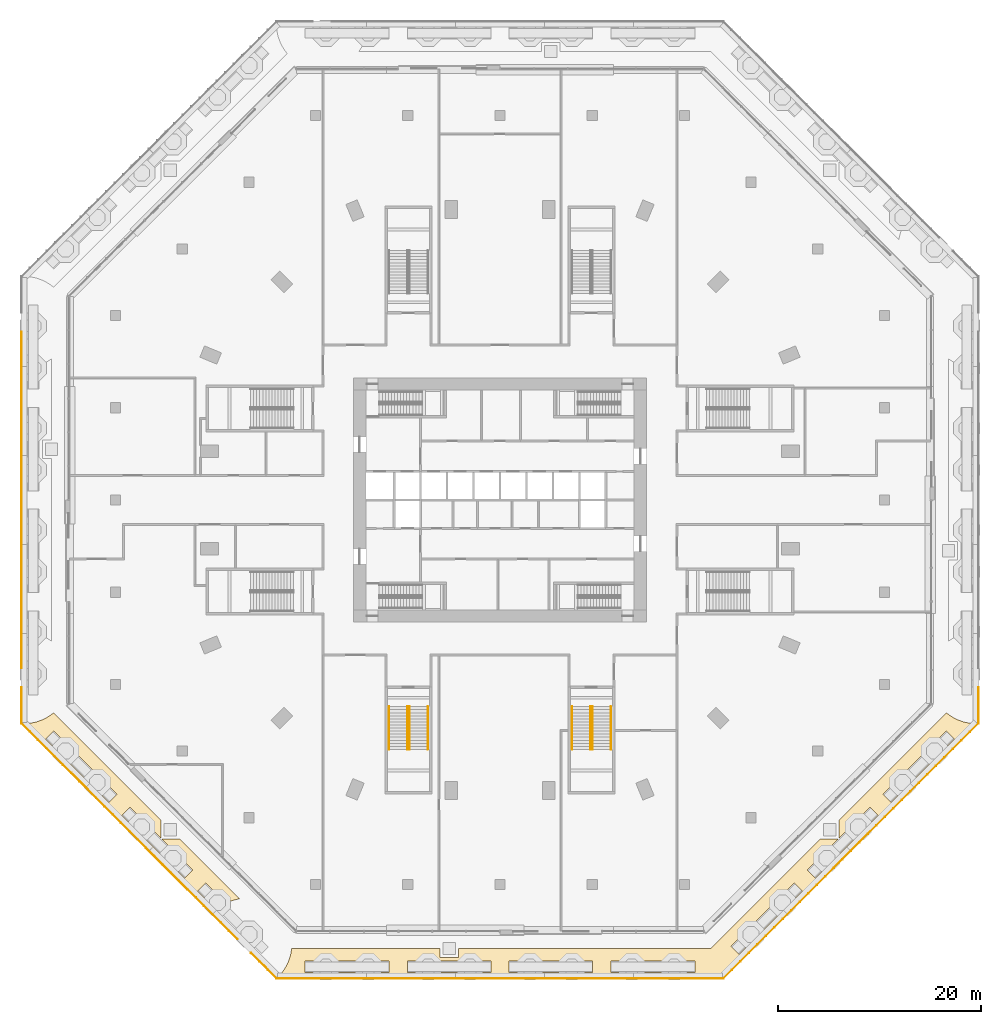
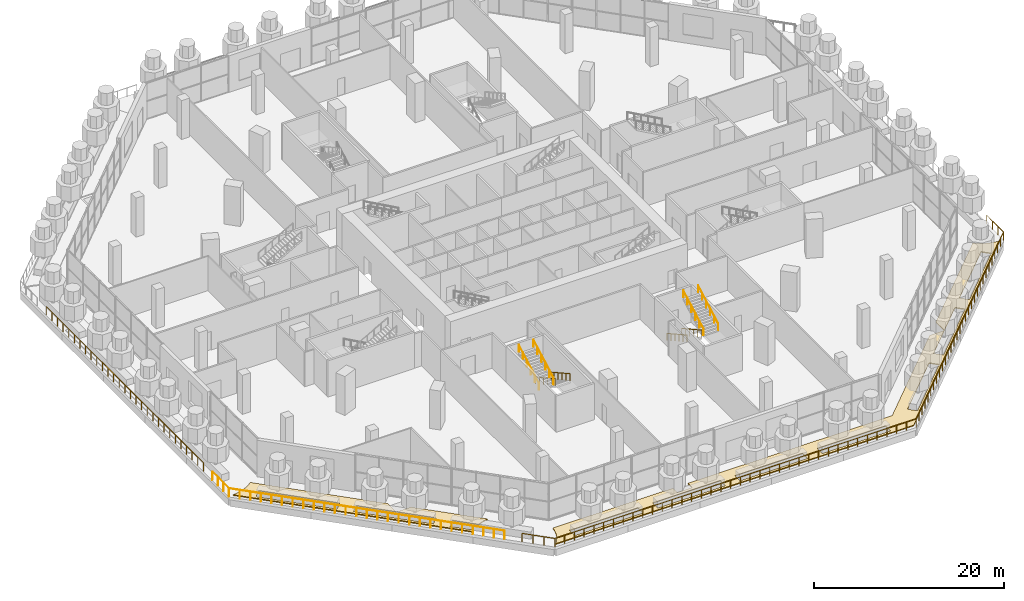
# One storey, part 29 of 32: 11 railings, 2 coverings.
"""IFC4 building model written with IfcOpenShell, lengths in metres."""

from ifc_helpers import new_model, si_unit, direction, frame, origin, origin_2d, place, context, subcontext, project, spatial, polyline, circle, outline, extrude, material, layer, layer_set, constituent, constituent_set, type_object, element, save


model = new_model("IFC4")

# Units and contexts
model_context = context("Model", 3, precision=1e-05, world=origin(), true_north=direction((0.0, 1.0)))
body_context = subcontext(model_context, "Body", "Model", "MODEL_VIEW")
ifc_project = project(units=[si_unit("LENGTHUNIT", "METRE"), si_unit("AREAUNIT", "SQUARE_METRE"), si_unit("VOLUMEUNIT", "CUBIC_METRE"), si_unit("PLANEANGLEUNIT", "RADIAN"), si_unit("MASSUNIT", "GRAM", prefix="KILO")], contexts=[model_context])

# Site, building, storey
site_placement = place(None, origin())
site = spatial("IfcSite", under=ifc_project, at=site_placement, CompositionType="ELEMENT")
building_placement = place(site_placement, origin())
building = spatial("IfcBuilding", under=site, at=building_placement, Name="Msitu Wima Residences", CompositionType="ELEMENT")
storey_placement = place(building_placement, frame((0.0, 0.0, 6.0)))
storey = spatial("IfcBuildingStorey", under=building, at=storey_placement, Name="L01", CompositionType="ELEMENT", Elevation=6.0)

# Railings
ifc_material_1 = material(Name="Steel S355", Category="steel")
ifc_constituent_1 = constituent(ifc_material_1, Name="Steel S355")
ifc_material_2 = material(Name="Black powder coating")
ifc_constituent_2 = constituent(ifc_material_2, Name="Black powder coating")
ifc_constituent_set_1 = constituent_set(constituents=[ifc_constituent_1, ifc_constituent_2], Name="Steel S355")
railing_type_1 = type_object("IfcRailingType", Name="Stair handrail HR1", PredefinedType="HANDRAIL", material=ifc_constituent_set_1)
for number, where, name in (
    (1, (7.10009765625, -20.324951171875, 0.166748046875), "Podium exit stair 7 handrail"),
    (2, (8.89990234375, -20.324951171875, 0.166748046875), "Podium exit stair 7 handrail"),
):
    element("IfcRailing", number, at=place(storey_placement, frame(where)), inside=storey, type_object=railing_type_1, Name=name, PredefinedType="HANDRAIL", context=body_context, shape_type="SweptSolid", body=[
        extrude(circle(Radius=0.02392578125, at=origin_2d()), frame((0.0, 0.0, 0.8759765625), z_axis=(0.0, -0.874162069901, 0.485634302275), x_axis=(1.0, 0.0, 0.0)), (0.0, 0.0, 1.0), 4.804443359375),
        extrude(circle(Radius=0.02099609375, at=origin_2d()), origin(), (0.0, 0.0, 1.0), 0.851806640625),
        extrude(circle(Radius=0.02099609375, at=origin_2d()), frame((0.0, -0.840087890625, 0.466552734375)), (0.0, 0.0, 1.0), 0.851806640625),
        extrude(circle(Radius=0.02099609375, at=origin_2d()), frame((0.0, -1.679931640625, 0.933349609375)), (0.0, 0.0, 1.0), 0.851806640625),
        extrude(circle(Radius=0.02099609375, at=origin_2d()), frame((0.0, -2.52001953125, 1.39990234375)), (0.0, 0.0, 1.0), 0.851806640625),
        extrude(circle(Radius=0.02099609375, at=origin_2d()), frame((0.0, -3.35986328125, 1.86669921875)), (0.0, 0.0, 1.0), 0.851806640625),
        extrude(circle(Radius=0.02099609375, at=origin_2d()), frame((0.0, -4.199951171875, 2.333251953125)), (0.0, 0.0, 1.0), 0.851806640625),
    ])
for number, where, name in (
    (3, (9.10009765625, -24.52490234375, 2.666748046875), "Podium exit stair 7 handrail"),
    (4, (10.89990234375, -24.52490234375, 2.666748046875), "Podium exit stair 7 handrail"),
):
    element("IfcRailing", number, at=place(storey_placement, frame(where)), inside=storey, type_object=railing_type_1, Name=name, PredefinedType="HANDRAIL", context=body_context, shape_type="SweptSolid", body=[
        extrude(circle(Radius=0.02392578125, at=origin_2d()), frame((0.0, 0.0, 0.8759765625), z_axis=(0.0, 0.874162069901, 0.485634302275), x_axis=(-1.0, 0.0, 0.0)), (0.0, 0.0, 1.0), 4.804443359375),
        extrude(circle(Radius=0.02099609375, at=origin_2d()), origin(), (0.0, 0.0, 1.0), 0.851806640625),
        extrude(circle(Radius=0.02099609375, at=origin_2d()), frame((0.0, 0.840087890625, 0.466552734375)), (0.0, 0.0, 1.0), 0.851806640625),
        extrude(circle(Radius=0.02099609375, at=origin_2d()), frame((0.0, 1.679931640625, 0.933349609375)), (0.0, 0.0, 1.0), 0.851806640625),
        extrude(circle(Radius=0.02099609375, at=origin_2d()), frame((0.0, 2.52001953125, 1.39990234375)), (0.0, 0.0, 1.0), 0.851806640625),
        extrude(circle(Radius=0.02099609375, at=origin_2d()), frame((0.0, 3.35986328125, 1.86669921875)), (0.0, 0.0, 1.0), 0.851806640625),
        extrude(circle(Radius=0.02099609375, at=origin_2d()), frame((0.0, 4.199951171875, 2.333251953125)), (0.0, 0.0, 1.0), 0.851806640625),
    ])
for number, where, name in (
    (5, (-7.10009765625, -20.324951171875, 0.166748046875), "Podium exit stair 8 handrail"),
    (6, (-8.89990234375, -20.324951171875, 0.166748046875), "Podium exit stair 8 handrail"),
):
    element("IfcRailing", number, at=place(storey_placement, frame(where)), inside=storey, type_object=railing_type_1, Name=name, PredefinedType="HANDRAIL", context=body_context, shape_type="SweptSolid", body=[
        extrude(circle(Radius=0.02392578125, at=origin_2d()), frame((0.0, 0.0, 0.8759765625), z_axis=(0.0, -0.874162069901, 0.485634302275), x_axis=(1.0, 0.0, 0.0)), (0.0, 0.0, 1.0), 4.804443359375),
        extrude(circle(Radius=0.02099609375, at=origin_2d()), origin(), (0.0, 0.0, 1.0), 0.851806640625),
        extrude(circle(Radius=0.02099609375, at=origin_2d()), frame((0.0, -0.840087890625, 0.466552734375)), (0.0, 0.0, 1.0), 0.851806640625),
        extrude(circle(Radius=0.02099609375, at=origin_2d()), frame((0.0, -1.679931640625, 0.933349609375)), (0.0, 0.0, 1.0), 0.851806640625),
        extrude(circle(Radius=0.02099609375, at=origin_2d()), frame((0.0, -2.52001953125, 1.39990234375)), (0.0, 0.0, 1.0), 0.851806640625),
        extrude(circle(Radius=0.02099609375, at=origin_2d()), frame((0.0, -3.35986328125, 1.86669921875)), (0.0, 0.0, 1.0), 0.851806640625),
        extrude(circle(Radius=0.02099609375, at=origin_2d()), frame((0.0, -4.199951171875, 2.333251953125)), (0.0, 0.0, 1.0), 0.851806640625),
    ])
for number, where, name in (
    (7, (-9.10009765625, -24.52490234375, 2.666748046875), "Podium exit stair 8 handrail"),
    (8, (-10.89990234375, -24.52490234375, 2.666748046875), "Podium exit stair 8 handrail"),
):
    element("IfcRailing", number, at=place(storey_placement, frame(where)), inside=storey, type_object=railing_type_1, Name=name, PredefinedType="HANDRAIL", context=body_context, shape_type="SweptSolid", body=[
        extrude(circle(Radius=0.02392578125, at=origin_2d()), frame((0.0, 0.0, 0.8759765625), z_axis=(0.0, 0.874162069901, 0.485634302275), x_axis=(-1.0, 0.0, 0.0)), (0.0, 0.0, 1.0), 4.804443359375),
        extrude(circle(Radius=0.02099609375, at=origin_2d()), origin(), (0.0, 0.0, 1.0), 0.851806640625),
        extrude(circle(Radius=0.02099609375, at=origin_2d()), frame((0.0, 0.840087890625, 0.466552734375)), (0.0, 0.0, 1.0), 0.851806640625),
        extrude(circle(Radius=0.02099609375, at=origin_2d()), frame((0.0, 1.679931640625, 0.933349609375)), (0.0, 0.0, 1.0), 0.851806640625),
        extrude(circle(Radius=0.02099609375, at=origin_2d()), frame((0.0, 2.52001953125, 1.39990234375)), (0.0, 0.0, 1.0), 0.851806640625),
        extrude(circle(Radius=0.02099609375, at=origin_2d()), frame((0.0, 3.35986328125, 1.86669921875)), (0.0, 0.0, 1.0), 0.851806640625),
        extrude(circle(Radius=0.02099609375, at=origin_2d()), frame((0.0, 4.199951171875, 2.333251953125)), (0.0, 0.0, 1.0), 0.851806640625),
    ])
ifc_constituent_3 = constituent(ifc_material_1, Name="Steel S355")
ifc_material_3 = material(Name="Weathering patina")
ifc_constituent_4 = constituent(ifc_material_3, Name="Weathering patina")
ifc_constituent_set_2 = constituent_set(constituents=[ifc_constituent_3, ifc_constituent_4], Name="Steel S355")
railing_type_2 = type_object("IfcRailingType", Name="Terrace guard GR1100", PredefinedType="GUARDRAIL", material=ifc_constituent_set_2)
railing_1_placement = place(storey_placement, frame((-25.822509765625, -43.18701171875, 0.0)))
element("IfcRailing", 9, at=railing_1_placement, inside=storey, type_object=railing_type_2, Name="Terrace guard L00 roof 1", PredefinedType="GUARDRAIL", context=body_context, shape_type="SweptSolid", body=[
    extrude(circle(Radius=0.02392578125, at=origin_2d()), frame((0.0, 0.0, 1.076171875), z_axis=(-0.707106781187, 0.707106781187, 0.0), x_axis=(-0.707106781187, -0.707106781187, 0.0)), (0.0, 0.0, 1.0), 30.020263671875),
    extrude(circle(Radius=0.02392578125, at=origin_2d()), frame((-21.2275390625, 21.2275390625, 1.076171875), z_axis=(0.0, 1.0, 0.0), x_axis=(-1.0, 0.0, 0.0)), (0.0, 0.0, 1.0), 3.52490234375),
    extrude(circle(Radius=0.02099609375, at=origin_2d()), origin(), (0.0, 0.0, 1.0), 1.052001953125),
    extrude(circle(Radius=0.02099609375, at=origin_2d()), frame((-0.81640625, 0.81640625, 0.0)), (0.0, 0.0, 1.0), 1.052001953125),
    extrude(circle(Radius=0.02099609375, at=origin_2d()), frame((-1.6328125, 1.6328125, 0.0)), (0.0, 0.0, 1.0), 1.052001953125),
    extrude(circle(Radius=0.02099609375, at=origin_2d()), frame((-2.44921875, 2.44921875, 0.0)), (0.0, 0.0, 1.0), 1.052001953125),
    extrude(circle(Radius=0.02099609375, at=origin_2d()), frame((-3.265869140625, 3.265869140625, 0.0)), (0.0, 0.0, 1.0), 1.052001953125),
    extrude(circle(Radius=0.02099609375, at=origin_2d()), frame((-4.082275390625, 4.082275390625, 0.0)), (0.0, 0.0, 1.0), 1.052001953125),
    extrude(circle(Radius=0.02099609375, at=origin_2d()), frame((-4.898681640625, 4.898681640625, 0.0)), (0.0, 0.0, 1.0), 1.052001953125),
    extrude(circle(Radius=0.02099609375, at=origin_2d()), frame((-5.715087890625, 5.715087890625, 0.0)), (0.0, 0.0, 1.0), 1.052001953125),
    extrude(circle(Radius=0.02099609375, at=origin_2d()), frame((-6.531494140625, 6.531494140625, 0.0)), (0.0, 0.0, 1.0), 1.052001953125),
    extrude(circle(Radius=0.02099609375, at=origin_2d()), frame((-7.347900390625, 7.347900390625, 0.0)), (0.0, 0.0, 1.0), 1.052001953125),
    extrude(circle(Radius=0.02099609375, at=origin_2d()), frame((-8.16455078125, 8.16455078125, 0.0)), (0.0, 0.0, 1.0), 1.052001953125),
    extrude(circle(Radius=0.02099609375, at=origin_2d()), frame((-8.98095703125, 8.98095703125, 0.0)), (0.0, 0.0, 1.0), 1.052001953125),
    extrude(circle(Radius=0.02099609375, at=origin_2d()), frame((-9.79736328125, 9.79736328125, 0.0)), (0.0, 0.0, 1.0), 1.052001953125),
    extrude(circle(Radius=0.02099609375, at=origin_2d()), frame((-10.61376953125, 10.61376953125, 0.0)), (0.0, 0.0, 1.0), 1.052001953125),
    extrude(circle(Radius=0.02099609375, at=origin_2d()), frame((-11.43017578125, 11.43017578125, 0.0)), (0.0, 0.0, 1.0), 1.052001953125),
    extrude(circle(Radius=0.02099609375, at=origin_2d()), frame((-12.24658203125, 12.24658203125, 0.0)), (0.0, 0.0, 1.0), 1.052001953125),
    extrude(circle(Radius=0.02099609375, at=origin_2d()), frame((-13.06298828125, 13.06298828125, 0.0)), (0.0, 0.0, 1.0), 1.052001953125),
    extrude(circle(Radius=0.02099609375, at=origin_2d()), frame((-13.879638671875, 13.879638671875, 0.0)), (0.0, 0.0, 1.0), 1.052001953125),
    extrude(circle(Radius=0.02099609375, at=origin_2d()), frame((-14.696044921875, 14.696044921875, 0.0)), (0.0, 0.0, 1.0), 1.052001953125),
    extrude(circle(Radius=0.02099609375, at=origin_2d()), frame((-15.512451171875, 15.512451171875, 0.0)), (0.0, 0.0, 1.0), 1.052001953125),
    extrude(circle(Radius=0.02099609375, at=origin_2d()), frame((-16.328857421875, 16.328857421875, 0.0)), (0.0, 0.0, 1.0), 1.052001953125),
    extrude(circle(Radius=0.02099609375, at=origin_2d()), frame((-17.145263671875, 17.145263671875, 0.0)), (0.0, 0.0, 1.0), 1.052001953125),
    extrude(circle(Radius=0.02099609375, at=origin_2d()), frame((-17.961669921875, 17.961669921875, 0.0)), (0.0, 0.0, 1.0), 1.052001953125),
    extrude(circle(Radius=0.02099609375, at=origin_2d()), frame((-18.7783203125, 18.7783203125, 0.0)), (0.0, 0.0, 1.0), 1.052001953125),
    extrude(circle(Radius=0.02099609375, at=origin_2d()), frame((-19.5947265625, 19.5947265625, 0.0)), (0.0, 0.0, 1.0), 1.052001953125),
    extrude(circle(Radius=0.02099609375, at=origin_2d()), frame((-20.4111328125, 20.4111328125, 0.0)), (0.0, 0.0, 1.0), 1.052001953125),
    extrude(circle(Radius=0.02099609375, at=origin_2d()), frame((-21.2275390625, 21.2275390625, 0.0)), (0.0, 0.0, 1.0), 1.052001953125),
    extrude(circle(Radius=0.02099609375, at=origin_2d()), frame((-21.2275390625, 22.402587890625, 0.0)), (0.0, 0.0, 1.0), 1.052001953125),
    extrude(circle(Radius=0.02099609375, at=origin_2d()), frame((-21.2275390625, 23.577392578125, 0.0)), (0.0, 0.0, 1.0), 1.052001953125),
    extrude(circle(Radius=0.02099609375, at=origin_2d()), frame((-21.2275390625, 24.75244140625, 0.0)), (0.0, 0.0, 1.0), 1.052001953125),
])
railing_2_placement = place(storey_placement, frame((-47.050048828125, -16.53466796875, 0.0)))
element("IfcRailing", 10, at=railing_2_placement, inside=storey, type_object=railing_type_2, Name="Terrace guard L00 roof 2", PredefinedType="GUARDRAIL", context=body_context, shape_type="SweptSolid", body=[
    extrude(circle(Radius=0.02392578125, at=origin_2d()), frame((0.0, 0.0, 1.076171875), z_axis=(0.0, 1.0, 0.0), x_axis=(-1.0, 0.0, 0.0)), (0.0, 0.0, 1.0), 33.0693359375),
    extrude(circle(Radius=0.02099609375, at=origin_2d()), origin(), (0.0, 0.0, 1.0), 1.052001953125),
    extrude(circle(Radius=0.02099609375, at=origin_2d()), frame((0.0, 1.18115234375, 0.0)), (0.0, 0.0, 1.0), 1.052001953125),
    extrude(circle(Radius=0.02099609375, at=origin_2d()), frame((0.0, 2.362060546875, 0.0)), (0.0, 0.0, 1.0), 1.052001953125),
    extrude(circle(Radius=0.02099609375, at=origin_2d()), frame((0.0, 3.543212890625, 0.0)), (0.0, 0.0, 1.0), 1.052001953125),
    extrude(circle(Radius=0.02099609375, at=origin_2d()), frame((0.0, 4.72412109375, 0.0)), (0.0, 0.0, 1.0), 1.052001953125),
    extrude(circle(Radius=0.02099609375, at=origin_2d()), frame((0.0, 5.9052734375, 0.0)), (0.0, 0.0, 1.0), 1.052001953125),
    extrude(circle(Radius=0.02099609375, at=origin_2d()), frame((0.0, 7.086181640625, 0.0)), (0.0, 0.0, 1.0), 1.052001953125),
    extrude(circle(Radius=0.02099609375, at=origin_2d()), frame((0.0, 8.267333984375, 0.0)), (0.0, 0.0, 1.0), 1.052001953125),
    extrude(circle(Radius=0.02099609375, at=origin_2d()), frame((0.0, 9.448486328125, 0.0)), (0.0, 0.0, 1.0), 1.052001953125),
    extrude(circle(Radius=0.02099609375, at=origin_2d()), frame((0.0, 10.62939453125, 0.0)), (0.0, 0.0, 1.0), 1.052001953125),
    extrude(circle(Radius=0.02099609375, at=origin_2d()), frame((0.0, 11.810546875, 0.0)), (0.0, 0.0, 1.0), 1.052001953125),
    extrude(circle(Radius=0.02099609375, at=origin_2d()), frame((0.0, 12.991455078125, 0.0)), (0.0, 0.0, 1.0), 1.052001953125),
    extrude(circle(Radius=0.02099609375, at=origin_2d()), frame((0.0, 14.172607421875, 0.0)), (0.0, 0.0, 1.0), 1.052001953125),
    extrude(circle(Radius=0.02099609375, at=origin_2d()), frame((0.0, 15.353515625, 0.0)), (0.0, 0.0, 1.0), 1.052001953125),
    extrude(circle(Radius=0.02099609375, at=origin_2d()), frame((0.0, 16.53466796875, 0.0)), (0.0, 0.0, 1.0), 1.052001953125),
    extrude(circle(Radius=0.02099609375, at=origin_2d()), frame((0.0, 17.7158203125, 0.0)), (0.0, 0.0, 1.0), 1.052001953125),
    extrude(circle(Radius=0.02099609375, at=origin_2d()), frame((0.0, 18.896728515625, 0.0)), (0.0, 0.0, 1.0), 1.052001953125),
    extrude(circle(Radius=0.02099609375, at=origin_2d()), frame((0.0, 20.077880859375, 0.0)), (0.0, 0.0, 1.0), 1.052001953125),
    extrude(circle(Radius=0.02099609375, at=origin_2d()), frame((0.0, 21.2587890625, 0.0)), (0.0, 0.0, 1.0), 1.052001953125),
    extrude(circle(Radius=0.02099609375, at=origin_2d()), frame((0.0, 22.43994140625, 0.0)), (0.0, 0.0, 1.0), 1.052001953125),
    extrude(circle(Radius=0.02099609375, at=origin_2d()), frame((0.0, 23.620849609375, 0.0)), (0.0, 0.0, 1.0), 1.052001953125),
    extrude(circle(Radius=0.02099609375, at=origin_2d()), frame((0.0, 24.802001953125, 0.0)), (0.0, 0.0, 1.0), 1.052001953125),
    extrude(circle(Radius=0.02099609375, at=origin_2d()), frame((0.0, 25.983154296875, 0.0)), (0.0, 0.0, 1.0), 1.052001953125),
    extrude(circle(Radius=0.02099609375, at=origin_2d()), frame((0.0, 27.1640625, 0.0)), (0.0, 0.0, 1.0), 1.052001953125),
    extrude(circle(Radius=0.02099609375, at=origin_2d()), frame((0.0, 28.34521484375, 0.0)), (0.0, 0.0, 1.0), 1.052001953125),
    extrude(circle(Radius=0.02099609375, at=origin_2d()), frame((0.0, 29.526123046875, 0.0)), (0.0, 0.0, 1.0), 1.052001953125),
    extrude(circle(Radius=0.02099609375, at=origin_2d()), frame((0.0, 30.707275390625, 0.0)), (0.0, 0.0, 1.0), 1.052001953125),
    extrude(circle(Radius=0.02099609375, at=origin_2d()), frame((0.0, 31.88818359375, 0.0)), (0.0, 0.0, 1.0), 1.052001953125),
    extrude(circle(Radius=0.02099609375, at=origin_2d()), frame((0.0, 33.0693359375, 0.0)), (0.0, 0.0, 1.0), 1.052001953125),
])
railing_3_placement = place(storey_placement, frame((47.050048828125, -18.4345703125, 0.0)))
element("IfcRailing", 11, at=railing_3_placement, inside=storey, type_object=railing_type_2, Name="Terrace guard L00 roof 7", PredefinedType="GUARDRAIL", context=body_context, shape_type="SweptSolid", body=[
    extrude(circle(Radius=0.02392578125, at=origin_2d()), frame((0.0, 0.0, 1.076171875), z_axis=(0.0, -1.0, 0.0), x_axis=(1.0, 0.0, 0.0)), (0.0, 0.0, 1.0), 3.52490234375),
    extrude(circle(Radius=0.02392578125, at=origin_2d()), frame((0.0, -3.52490234375, 1.076171875), z_axis=(-0.707106781187, -0.707106781187, 0.0), x_axis=(0.707106781187, -0.707106781187, 0.0)), (0.0, 0.0, 1.0), 35.4833984375),
    extrude(circle(Radius=0.02392578125, at=origin_2d()), frame((-25.090576171875, -28.615478515625, 1.076171875), z_axis=(-1.0, 0.0, 0.0), x_axis=(0.0, -1.0, 0.0)), (0.0, 0.0, 1.0), 43.9189453125),
    extrude(circle(Radius=0.02392578125, at=origin_2d()), frame((-69.009521484375, -28.615478515625, 1.076171875), z_axis=(-0.707106781187, 0.707106781187, 0.0), x_axis=(-0.707106781187, -0.707106781187, 0.0)), (0.0, 0.0, 1.0), 3.563232421875),
    extrude(circle(Radius=0.02099609375, at=origin_2d()), origin(), (0.0, 0.0, 1.0), 1.052001953125),
    extrude(circle(Radius=0.02099609375, at=origin_2d()), frame((0.0, -1.175048828125, 0.0)), (0.0, 0.0, 1.0), 1.052001953125),
    extrude(circle(Radius=0.02099609375, at=origin_2d()), frame((0.0, -2.349853515625, 0.0)), (0.0, 0.0, 1.0), 1.052001953125),
    extrude(circle(Radius=0.02099609375, at=origin_2d()), frame((0.0, -3.52490234375, 0.0)), (0.0, 0.0, 1.0), 1.052001953125),
    extrude(circle(Radius=0.02099609375, at=origin_2d()), frame((-0.83642578125, -4.361328125, 0.0)), (0.0, 0.0, 1.0), 1.052001953125),
    extrude(circle(Radius=0.02099609375, at=origin_2d()), frame((-1.672607421875, -5.197509765625, 0.0)), (0.0, 0.0, 1.0), 1.052001953125),
    extrude(circle(Radius=0.02099609375, at=origin_2d()), frame((-2.509033203125, -6.033935546875, 0.0)), (0.0, 0.0, 1.0), 1.052001953125),
    extrude(circle(Radius=0.02099609375, at=origin_2d()), frame((-3.345458984375, -6.870361328125, 0.0)), (0.0, 0.0, 1.0), 1.052001953125),
    extrude(circle(Radius=0.02099609375, at=origin_2d()), frame((-4.181640625, -7.70654296875, 0.0)), (0.0, 0.0, 1.0), 1.052001953125),
    extrude(circle(Radius=0.02099609375, at=origin_2d()), frame((-5.01806640625, -8.54296875, 0.0)), (0.0, 0.0, 1.0), 1.052001953125),
    extrude(circle(Radius=0.02099609375, at=origin_2d()), frame((-5.8544921875, -9.37939453125, 0.0)), (0.0, 0.0, 1.0), 1.052001953125),
    extrude(circle(Radius=0.02099609375, at=origin_2d()), frame((-6.69091796875, -10.2158203125, 0.0)), (0.0, 0.0, 1.0), 1.052001953125),
    extrude(circle(Radius=0.02099609375, at=origin_2d()), frame((-7.527099609375, -11.052001953125, 0.0)), (0.0, 0.0, 1.0), 1.052001953125),
    extrude(circle(Radius=0.02099609375, at=origin_2d()), frame((-8.363525390625, -11.888427734375, 0.0)), (0.0, 0.0, 1.0), 1.052001953125),
    extrude(circle(Radius=0.02099609375, at=origin_2d()), frame((-9.199951171875, -12.724853515625, 0.0)), (0.0, 0.0, 1.0), 1.052001953125),
    extrude(circle(Radius=0.02099609375, at=origin_2d()), frame((-10.0361328125, -13.56103515625, 0.0)), (0.0, 0.0, 1.0), 1.052001953125),
    extrude(circle(Radius=0.02099609375, at=origin_2d()), frame((-10.87255859375, -14.3974609375, 0.0)), (0.0, 0.0, 1.0), 1.052001953125),
    extrude(circle(Radius=0.02099609375, at=origin_2d()), frame((-11.708984375, -15.23388671875, 0.0)), (0.0, 0.0, 1.0), 1.052001953125),
    extrude(circle(Radius=0.02099609375, at=origin_2d()), frame((-12.54541015625, -16.0703125, 0.0)), (0.0, 0.0, 1.0), 1.052001953125),
    extrude(circle(Radius=0.02099609375, at=origin_2d()), frame((-13.381591796875, -16.906494140625, 0.0)), (0.0, 0.0, 1.0), 1.052001953125),
    extrude(circle(Radius=0.02099609375, at=origin_2d()), frame((-14.218017578125, -17.742919921875, 0.0)), (0.0, 0.0, 1.0), 1.052001953125),
    extrude(circle(Radius=0.02099609375, at=origin_2d()), frame((-15.054443359375, -18.579345703125, 0.0)), (0.0, 0.0, 1.0), 1.052001953125),
    extrude(circle(Radius=0.02099609375, at=origin_2d()), frame((-15.890625, -19.41552734375, 0.0)), (0.0, 0.0, 1.0), 1.052001953125),
    extrude(circle(Radius=0.02099609375, at=origin_2d()), frame((-16.72705078125, -20.251953125, 0.0)), (0.0, 0.0, 1.0), 1.052001953125),
    extrude(circle(Radius=0.02099609375, at=origin_2d()), frame((-17.5634765625, -21.08837890625, 0.0)), (0.0, 0.0, 1.0), 1.052001953125),
    extrude(circle(Radius=0.02099609375, at=origin_2d()), frame((-18.399658203125, -21.924560546875, 0.0)), (0.0, 0.0, 1.0), 1.052001953125),
    extrude(circle(Radius=0.02099609375, at=origin_2d()), frame((-19.236083984375, -22.760986328125, 0.0)), (0.0, 0.0, 1.0), 1.052001953125),
    extrude(circle(Radius=0.02099609375, at=origin_2d()), frame((-20.072509765625, -23.597412109375, 0.0)), (0.0, 0.0, 1.0), 1.052001953125),
    extrude(circle(Radius=0.02099609375, at=origin_2d()), frame((-20.90869140625, -24.43359375, 0.0)), (0.0, 0.0, 1.0), 1.052001953125),
    extrude(circle(Radius=0.02099609375, at=origin_2d()), frame((-21.7451171875, -25.27001953125, 0.0)), (0.0, 0.0, 1.0), 1.052001953125),
    extrude(circle(Radius=0.02099609375, at=origin_2d()), frame((-22.58154296875, -26.1064453125, 0.0)), (0.0, 0.0, 1.0), 1.052001953125),
    extrude(circle(Radius=0.02099609375, at=origin_2d()), frame((-23.41796875, -26.94287109375, 0.0)), (0.0, 0.0, 1.0), 1.052001953125),
    extrude(circle(Radius=0.02099609375, at=origin_2d()), frame((-24.254150390625, -27.779052734375, 0.0)), (0.0, 0.0, 1.0), 1.052001953125),
    extrude(circle(Radius=0.02099609375, at=origin_2d()), frame((-25.090576171875, -28.615478515625, 0.0)), (0.0, 0.0, 1.0), 1.052001953125),
    extrude(circle(Radius=0.02099609375, at=origin_2d()), frame((-26.277587890625, -28.615478515625, 0.0)), (0.0, 0.0, 1.0), 1.052001953125),
    extrude(circle(Radius=0.02099609375, at=origin_2d()), frame((-27.464599609375, -28.615478515625, 0.0)), (0.0, 0.0, 1.0), 1.052001953125),
    extrude(circle(Radius=0.02099609375, at=origin_2d()), frame((-28.651611328125, -28.615478515625, 0.0)), (0.0, 0.0, 1.0), 1.052001953125),
    extrude(circle(Radius=0.02099609375, at=origin_2d()), frame((-29.838623046875, -28.615478515625, 0.0)), (0.0, 0.0, 1.0), 1.052001953125),
    extrude(circle(Radius=0.02099609375, at=origin_2d()), frame((-31.025634765625, -28.615478515625, 0.0)), (0.0, 0.0, 1.0), 1.052001953125),
    extrude(circle(Radius=0.02099609375, at=origin_2d()), frame((-32.212646484375, -28.615478515625, 0.0)), (0.0, 0.0, 1.0), 1.052001953125),
    extrude(circle(Radius=0.02099609375, at=origin_2d()), frame((-33.399658203125, -28.615478515625, 0.0)), (0.0, 0.0, 1.0), 1.052001953125),
    extrude(circle(Radius=0.02099609375, at=origin_2d()), frame((-34.586669921875, -28.615478515625, 0.0)), (0.0, 0.0, 1.0), 1.052001953125),
    extrude(circle(Radius=0.02099609375, at=origin_2d()), frame((-35.773681640625, -28.615478515625, 0.0)), (0.0, 0.0, 1.0), 1.052001953125),
    extrude(circle(Radius=0.02099609375, at=origin_2d()), frame((-36.96044921875, -28.615478515625, 0.0)), (0.0, 0.0, 1.0), 1.052001953125),
    extrude(circle(Radius=0.02099609375, at=origin_2d()), frame((-38.1474609375, -28.615478515625, 0.0)), (0.0, 0.0, 1.0), 1.052001953125),
    extrude(circle(Radius=0.02099609375, at=origin_2d()), frame((-39.33447265625, -28.615478515625, 0.0)), (0.0, 0.0, 1.0), 1.052001953125),
    extrude(circle(Radius=0.02099609375, at=origin_2d()), frame((-40.521484375, -28.615478515625, 0.0)), (0.0, 0.0, 1.0), 1.052001953125),
    extrude(circle(Radius=0.02099609375, at=origin_2d()), frame((-41.70849609375, -28.615478515625, 0.0)), (0.0, 0.0, 1.0), 1.052001953125),
    extrude(circle(Radius=0.02099609375, at=origin_2d()), frame((-42.8955078125, -28.615478515625, 0.0)), (0.0, 0.0, 1.0), 1.052001953125),
    extrude(circle(Radius=0.02099609375, at=origin_2d()), frame((-44.08251953125, -28.615478515625, 0.0)), (0.0, 0.0, 1.0), 1.052001953125),
    extrude(circle(Radius=0.02099609375, at=origin_2d()), frame((-45.26953125, -28.615478515625, 0.0)), (0.0, 0.0, 1.0), 1.052001953125),
    extrude(circle(Radius=0.02099609375, at=origin_2d()), frame((-46.45654296875, -28.615478515625, 0.0)), (0.0, 0.0, 1.0), 1.052001953125),
    extrude(circle(Radius=0.02099609375, at=origin_2d()), frame((-47.6435546875, -28.615478515625, 0.0)), (0.0, 0.0, 1.0), 1.052001953125),
    extrude(circle(Radius=0.02099609375, at=origin_2d()), frame((-48.83056640625, -28.615478515625, 0.0)), (0.0, 0.0, 1.0), 1.052001953125),
    extrude(circle(Radius=0.02099609375, at=origin_2d()), frame((-50.017578125, -28.615478515625, 0.0)), (0.0, 0.0, 1.0), 1.052001953125),
    extrude(circle(Radius=0.02099609375, at=origin_2d()), frame((-51.20458984375, -28.615478515625, 0.0)), (0.0, 0.0, 1.0), 1.052001953125),
    extrude(circle(Radius=0.02099609375, at=origin_2d()), frame((-52.3916015625, -28.615478515625, 0.0)), (0.0, 0.0, 1.0), 1.052001953125),
    extrude(circle(Radius=0.02099609375, at=origin_2d()), frame((-53.57861328125, -28.615478515625, 0.0)), (0.0, 0.0, 1.0), 1.052001953125),
    extrude(circle(Radius=0.02099609375, at=origin_2d()), frame((-54.765625, -28.615478515625, 0.0)), (0.0, 0.0, 1.0), 1.052001953125),
    extrude(circle(Radius=0.02099609375, at=origin_2d()), frame((-55.95263671875, -28.615478515625, 0.0)), (0.0, 0.0, 1.0), 1.052001953125),
    extrude(circle(Radius=0.02099609375, at=origin_2d()), frame((-57.1396484375, -28.615478515625, 0.0)), (0.0, 0.0, 1.0), 1.052001953125),
    extrude(circle(Radius=0.02099609375, at=origin_2d()), frame((-58.326416015625, -28.615478515625, 0.0)), (0.0, 0.0, 1.0), 1.052001953125),
    extrude(circle(Radius=0.02099609375, at=origin_2d()), frame((-59.513427734375, -28.615478515625, 0.0)), (0.0, 0.0, 1.0), 1.052001953125),
    extrude(circle(Radius=0.02099609375, at=origin_2d()), frame((-60.700439453125, -28.615478515625, 0.0)), (0.0, 0.0, 1.0), 1.052001953125),
    extrude(circle(Radius=0.02099609375, at=origin_2d()), frame((-61.887451171875, -28.615478515625, 0.0)), (0.0, 0.0, 1.0), 1.052001953125),
    extrude(circle(Radius=0.02099609375, at=origin_2d()), frame((-63.074462890625, -28.615478515625, 0.0)), (0.0, 0.0, 1.0), 1.052001953125),
    extrude(circle(Radius=0.02099609375, at=origin_2d()), frame((-64.261474609375, -28.615478515625, 0.0)), (0.0, 0.0, 1.0), 1.052001953125),
    extrude(circle(Radius=0.02099609375, at=origin_2d()), frame((-65.448486328125, -28.615478515625, 0.0)), (0.0, 0.0, 1.0), 1.052001953125),
    extrude(circle(Radius=0.02099609375, at=origin_2d()), frame((-66.635498046875, -28.615478515625, 0.0)), (0.0, 0.0, 1.0), 1.052001953125),
    extrude(circle(Radius=0.02099609375, at=origin_2d()), frame((-67.822509765625, -28.615478515625, 0.0)), (0.0, 0.0, 1.0), 1.052001953125),
    extrude(circle(Radius=0.02099609375, at=origin_2d()), frame((-69.009521484375, -28.615478515625, 0.0)), (0.0, 0.0, 1.0), 1.052001953125),
    extrude(circle(Radius=0.02099609375, at=origin_2d()), frame((-69.849365234375, -27.775634765625, 0.0)), (0.0, 0.0, 1.0), 1.052001953125),
    extrude(circle(Radius=0.02099609375, at=origin_2d()), frame((-70.689208984375, -26.935791015625, 0.0)), (0.0, 0.0, 1.0), 1.052001953125),
    extrude(circle(Radius=0.02099609375, at=origin_2d()), frame((-71.529052734375, -26.095947265625, 0.0)), (0.0, 0.0, 1.0), 1.052001953125),
])

# Coverings
ifc_material_4 = material(Name="Lawn and planting")
ifc_layer = layer(ifc_material_4, 0.1201171875)
ifc_layer_set = layer_set([ifc_layer], Name="Lawn and planting")
covering_type = type_object("IfcCoveringType", Name="Terrace planting PL120", PredefinedType="USERDEFINED", material=ifc_layer_set)
covering_1_placement = place(storey_placement, origin())
element("IfcCovering", 12, at=covering_1_placement, inside=storey, type_object=covering_type, Name="Terrace planting L01 2", ObjectType="PLANTING", PredefinedType="USERDEFINED", context=body_context, shape_type="SweptSolid", body=[
    extrude(outline(polyline([(-46.60986328125, -21.975341796875), (-46.35888671875, -21.962890625), (-45.922119140625, -21.898193359375), (-45.49365234375, -21.791015625), (-45.077880859375, -21.64208984375), (-44.6787109375, -21.453369140625), (-44.300048828125, -21.226318359375), (-43.9453125, -20.963134765625), (-43.907958984375, -20.929443359375), (-33.31884765625, -31.518798828125), (-33.31884765625, -31.518798828125), (-33.31884765625, -33.28662109375), (-36.38427734375, -30.220947265625), (-37.162109375, -30.998779296875), (-30.998779296875, -37.162109375), (-30.220947265625, -36.38427734375), (-33.28662109375, -33.31884765625), (-31.518798828125, -33.31884765625), (-31.518798828125, -33.31884765625), (-25.60546875, -39.23193359375), (-25.851806640625, -39.2685546875), (-26.280029296875, -39.375732421875), (-26.696044921875, -39.5244140625), (-26.957275390625, -39.648193359375), (-28.9482421875, -37.656982421875), (-29.72607421875, -38.434814453125), (-27.896240234375, -40.2646484375), (-28.11865234375, -40.46630859375), (-46.60986328125, -21.975341796875)]), holes=[polyline([(-38.434814453125, -29.72607421875), (-37.656982421875, -28.9482421875), (-43.88623046875, -22.718994140625), (-44.6640625, -23.496826171875), (-38.434814453125, -29.72607421875)])]), origin(), (0.0, 0.0, 1.0), 0.1201171875),
])
covering_2_placement = place(storey_placement, origin())
element("IfcCovering", 13, at=covering_2_placement, inside=storey, type_object=covering_type, Name="Terrace planting L01 4", ObjectType="PLANTING", PredefinedType="USERDEFINED", context=body_context, shape_type="SweptSolid", body=[
    extrude(outline(polyline([(-21.6884765625, -46.75), (-21.495361328125, -46.536865234375), (-21.232177734375, -46.18212890625), (-21.005126953125, -45.80322265625), (-20.81640625, -45.404052734375), (-20.667724609375, -44.98828125), (-20.560302734375, -44.559814453125), (-20.49560546875, -44.123046875), (-20.494384765625, -44.10009765625), (-5.89794921875, -44.10009765625), (-5.89794921875, -45.0), (-4.097900390625, -45.0), (-4.097900390625, -44.10009765625), (20.737548828125, -44.10009765625), (31.518798828125, -33.31884765625), (31.518798828125, -33.31884765625), (33.28662109375, -33.31884765625), (30.220947265625, -36.38427734375), (30.998779296875, -37.162109375), (37.162109375, -30.998779296875), (36.38427734375, -30.220947265625), (33.31884765625, -33.28662109375), (33.31884765625, -31.518798828125), (33.31884765625, -31.518798828125), (43.907958984375, -20.929443359375), (43.9453125, -20.963134765625), (44.300048828125, -21.226318359375), (44.6787109375, -21.453369140625), (45.077880859375, -21.64208984375), (45.49365234375, -21.791015625), (45.922119140625, -21.898193359375), (46.35888671875, -21.962890625), (46.60986328125, -21.975341796875), (21.835205078125, -46.75), (-21.6884765625, -46.75)]), holes=[polyline([(-10.89599609375, -46.449951171875), (-10.89599609375, -45.35009765625), (-19.18505859375, -45.35009765625), (-19.18505859375, -46.449951171875), (-10.89599609375, -46.449951171875)]), polyline([(-0.89990234375, -45.35009765625), (-9.095947265625, -45.35009765625), (-9.095947265625, -46.449951171875), (-0.89990234375, -46.449951171875), (-0.89990234375, -45.35009765625)]), polyline([(9.095947265625, -46.449951171875), (9.095947265625, -45.35009765625), (0.89990234375, -45.35009765625), (0.89990234375, -46.449951171875), (9.095947265625, -46.449951171875)]), polyline([(19.18505859375, -46.449951171875), (19.18505859375, -45.35009765625), (10.89599609375, -45.35009765625), (10.89599609375, -46.449951171875), (19.18505859375, -46.449951171875)]), polyline([(29.72607421875, -38.434814453125), (28.9482421875, -37.656982421875), (22.718994140625, -43.88623046875), (23.496826171875, -44.6640625), (29.72607421875, -38.434814453125)]), polyline([(44.6640625, -23.496826171875), (43.88623046875, -22.718994140625), (37.656982421875, -28.9482421875), (38.434814453125, -29.72607421875), (44.6640625, -23.496826171875)])]), origin(), (0.0, 0.0, 1.0), 0.1201171875),
])

save(model, "model.ifc")
